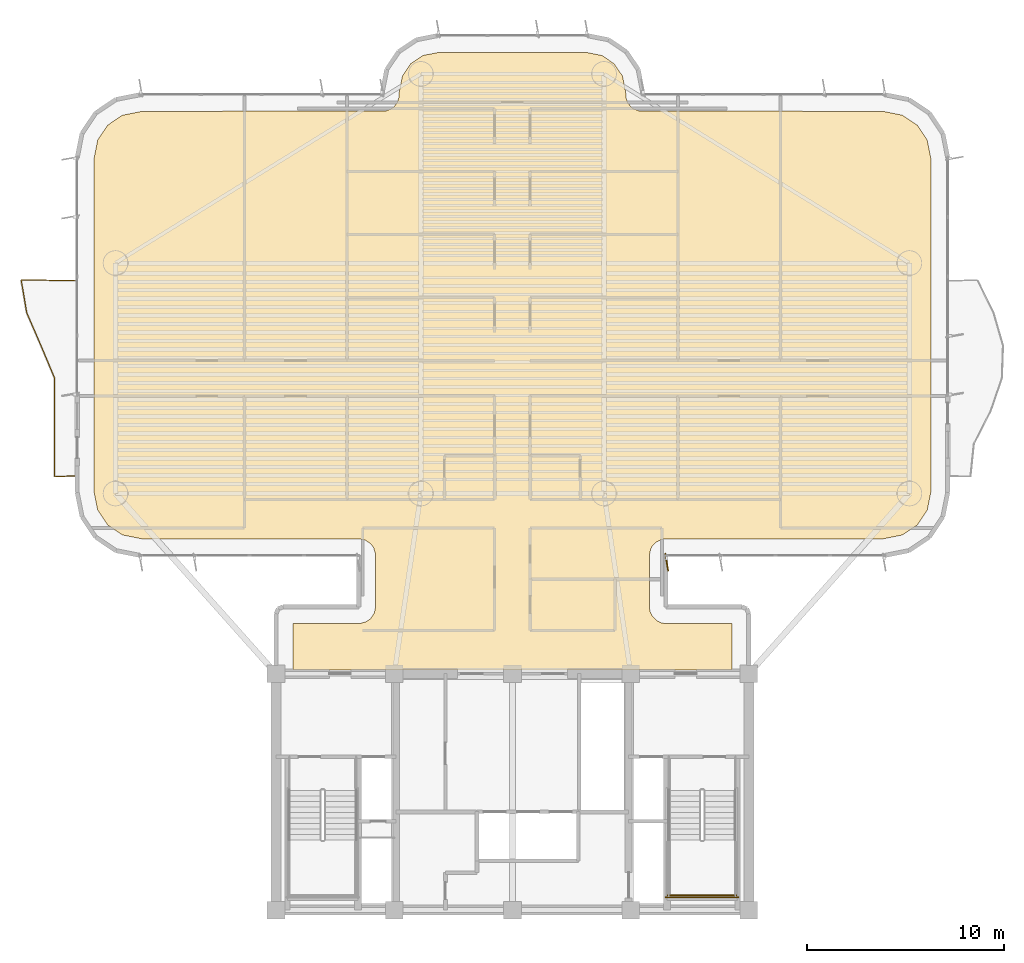
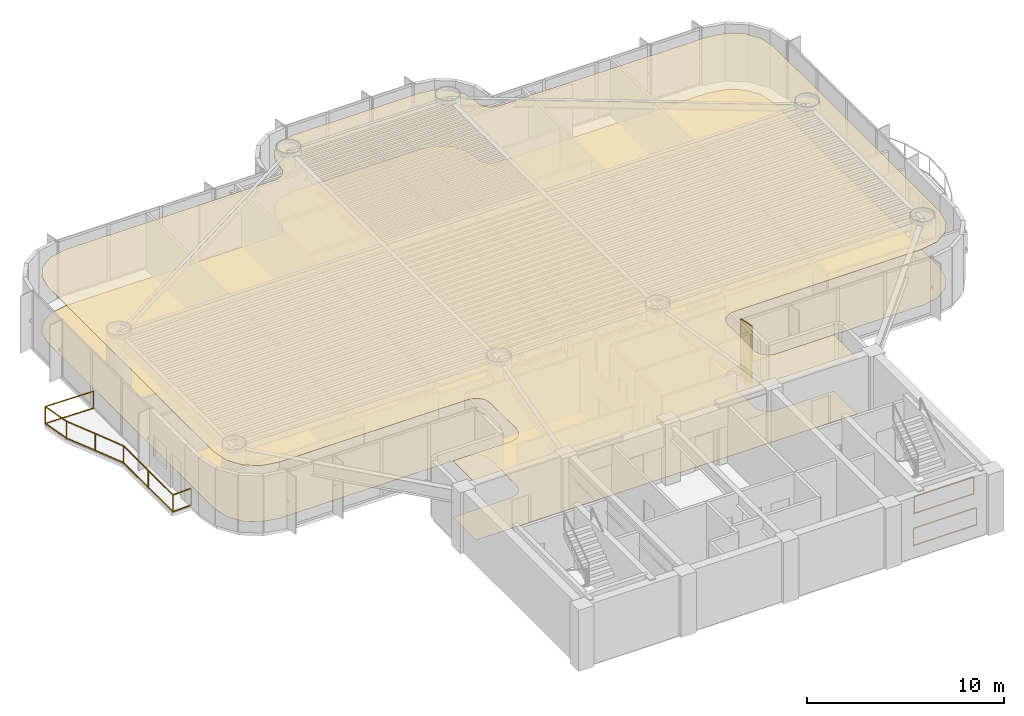
# One storey, part 14 of 16: 3 railings, 2 coverings, 1 shading device.
"""IFC4 building model written with IfcOpenShell, lengths in metres."""

from ifc_helpers import new_model, si_unit, direction, frame, origin, origin_2d, place, context, subcontext, project, spatial, polyline, rectangle, outline, extrude, source, transform, mapped, material, layer, layer_set, material_profile, profile_set, type_object, element, save


model = new_model("IFC4")

# Units and contexts
model_context = context("Model", 3, precision=1e-05, world=origin(), true_north=direction((0.0, 1.0)))
body_context = subcontext(model_context, "Body", "Model", "MODEL_VIEW")
ifc_project = project(units=[si_unit("LENGTHUNIT", "METRE"), si_unit("AREAUNIT", "SQUARE_METRE"), si_unit("VOLUMEUNIT", "CUBIC_METRE"), si_unit("PLANEANGLEUNIT", "RADIAN"), si_unit("MASSUNIT", "GRAM", prefix="KILO")], contexts=[model_context])

# Site, building, storey
site_placement = place(None, origin())
site = spatial("IfcSite", under=ifc_project, at=site_placement, CompositionType="ELEMENT")
building_placement = place(site_placement, origin())
building = spatial("IfcBuilding", under=site, at=building_placement, Name="Brelvock Crest Care Tower", CompositionType="ELEMENT")
storey_placement = place(building_placement, frame((0.0, 0.0, 104.93994140625)))
storey = spatial("IfcBuildingStorey", under=building, at=storey_placement, Name="L26", CompositionType="ELEMENT", Elevation=104.93994140625)

# Coverings
ifc_material_1 = material(Name="Mineral Fibre Acoustic Ceiling Tile", Category="gypsum")
ifc_layer_1 = layer(ifc_material_1, 0.02490234375, Name="COV-CLG1")
ifc_layer_set_1 = layer_set([ifc_layer_1], Name="Mineral Fibre Acoustic Ceiling Tile")
covering_type_1 = type_object("IfcCoveringType", Name="COV-CLG1", PredefinedType="CEILING", material=ifc_layer_set_1)
covering_1_placement = place(storey_placement, frame((0.0, 0.0, 3.47509765625)))
element("IfcCovering", 1, at=covering_1_placement, inside=storey, type_object=covering_type_1, Name="L26 Acoustic Suspended Ceiling 1", PredefinedType="CEILING", context=body_context, shape_type="SweptSolid", body=[
    extrude(outline(polyline([(24.85009765625, 18.199951171875), (47.14990234375, 18.199951171875), (47.14990234375, 20.550048828125), (43.716796875, 20.55419921875), (43.55322265625, 20.586669921875), (43.327880859375, 20.693359375), (43.09326171875, 20.927734375), (42.986572265625, 21.1533203125), (42.949951171875, 21.39990234375), (42.949951171875, 24.0), (43.0146484375, 24.3251953125), (43.09326171875, 24.47216796875), (43.2607421875, 24.656982421875), (43.55322265625, 24.8134765625), (43.800048828125, 24.85009765625), (54.81640625, 24.85009765625), (55.79296875, 25.044189453125), (56.5498046875, 25.550048828125), (57.0556640625, 26.30712890625), (57.25, 27.28369140625), (57.25, 44.1162109375), (57.0556640625, 45.093017578125), (56.5498046875, 45.849853515625), (55.79296875, 46.355712890625), (54.81640625, 46.550048828125), (42.43408203125, 46.56640625), (42.127685546875, 46.693359375), (41.9990234375, 46.799072265625), (41.850341796875, 46.999267578125), (41.766357421875, 47.234130859375), (41.75, 47.516357421875), (41.586181640625, 48.33984375), (41.1669921875, 48.967041015625), (40.539794921875, 49.38623046875), (39.71630859375, 49.550048828125), (32.28369140625, 49.550048828125), (31.460205078125, 49.38623046875), (30.8330078125, 48.967041015625), (30.413818359375, 48.33984375), (30.25, 47.516357421875), (30.233642578125, 47.234130859375), (30.149658203125, 46.999267578125), (30.0009765625, 46.799072265625), (29.872314453125, 46.693359375), (29.56591796875, 46.56640625), (17.18359375, 46.550048828125), (16.20703125, 46.355712890625), (15.4501953125, 45.849853515625), (14.9443359375, 45.093017578125), (14.75, 44.1162109375), (14.75, 27.28369140625), (14.9443359375, 26.30712890625), (15.4501953125, 25.550048828125), (16.20703125, 25.044189453125), (17.18359375, 24.85009765625), (28.199951171875, 24.85009765625), (28.525390625, 24.785400390625), (28.801025390625, 24.60107421875), (28.94970703125, 24.400634765625), (29.0458984375, 24.083251953125), (29.050048828125, 21.39990234375), (28.9853515625, 21.07470703125), (28.801025390625, 20.799072265625), (28.6005859375, 20.650390625), (28.283203125, 20.55419921875), (24.85009765625, 20.550048828125), (24.85009765625, 18.199951171875)])), origin(), (0.0, 0.0, 1.0), 0.02490234375),
])
ifc_material_2 = material(Name="Slip-Resistant Acoustic Vinyl Flooring", Category="finish")
ifc_layer_2 = layer(ifc_material_2, 0.014892578125, Name="COV-FLR1")
ifc_layer_set_2 = layer_set([ifc_layer_2], Name="Slip-Resistant Acoustic Vinyl Flooring")
covering_type_2 = type_object("IfcCoveringType", Name="COV-FLR1", PredefinedType="FLOORING", material=ifc_layer_set_2)
covering_2_placement = place(storey_placement, origin())
element("IfcCovering", 2, at=covering_2_placement, inside=storey, type_object=covering_type_2, Name="L26 Slip-Resistant Acoustic Flooring 1", PredefinedType="FLOORING", context=body_context, shape_type="SweptSolid", body=[
    extrude(outline(polyline([(24.85009765625, 18.199951171875), (47.14990234375, 18.199951171875), (47.14990234375, 20.550048828125), (43.716796875, 20.55419921875), (43.55322265625, 20.586669921875), (43.327880859375, 20.693359375), (43.09326171875, 20.927734375), (42.986572265625, 21.1533203125), (42.949951171875, 21.39990234375), (42.949951171875, 24.0), (43.0146484375, 24.3251953125), (43.09326171875, 24.47216796875), (43.2607421875, 24.656982421875), (43.55322265625, 24.8134765625), (43.800048828125, 24.85009765625), (54.81640625, 24.85009765625), (55.79296875, 25.044189453125), (56.5498046875, 25.550048828125), (57.0556640625, 26.30712890625), (57.25, 27.28369140625), (57.25, 44.1162109375), (57.0556640625, 45.093017578125), (56.5498046875, 45.849853515625), (55.79296875, 46.355712890625), (54.81640625, 46.550048828125), (42.43408203125, 46.56640625), (42.127685546875, 46.693359375), (41.9990234375, 46.799072265625), (41.850341796875, 46.999267578125), (41.766357421875, 47.234130859375), (41.75, 47.516357421875), (41.586181640625, 48.33984375), (41.1669921875, 48.967041015625), (40.539794921875, 49.38623046875), (39.71630859375, 49.550048828125), (32.28369140625, 49.550048828125), (31.460205078125, 49.38623046875), (30.8330078125, 48.967041015625), (30.413818359375, 48.33984375), (30.25, 47.516357421875), (30.233642578125, 47.234130859375), (30.149658203125, 46.999267578125), (30.0009765625, 46.799072265625), (29.872314453125, 46.693359375), (29.56591796875, 46.56640625), (17.18359375, 46.550048828125), (16.20703125, 46.355712890625), (15.4501953125, 45.849853515625), (14.9443359375, 45.093017578125), (14.75, 44.1162109375), (14.75, 27.28369140625), (14.9443359375, 26.30712890625), (15.4501953125, 25.550048828125), (16.20703125, 25.044189453125), (17.18359375, 24.85009765625), (28.199951171875, 24.85009765625), (28.525390625, 24.785400390625), (28.801025390625, 24.60107421875), (28.94970703125, 24.400634765625), (29.0458984375, 24.083251953125), (29.050048828125, 21.39990234375), (28.9853515625, 21.07470703125), (28.801025390625, 20.799072265625), (28.6005859375, 20.650390625), (28.283203125, 20.55419921875), (24.85009765625, 20.550048828125), (24.85009765625, 18.199951171875)])), origin(), (0.0, 0.0, 1.0), 0.01513671875),
])

# Railings
ifc_material_3 = material(Name="Dark Glass Double Glazed Low-E", Category="glass")
ifc_layer_3 = layer(ifc_material_3, 0.06005859375, Name="RL-BAL1")
ifc_layer_set_3 = layer_set([ifc_layer_3], Name="Dark Glass Double Glazed Low-E")
railing_type_1 = type_object("IfcRailingType", Name="RL-BAL1", PredefinedType="BALUSTRADE", material=ifc_layer_set_3)
railing_1_placement = place(storey_placement, frame((13.860107421875, 28.050048828125, 0.004150390625)))
element("IfcRailing", 3, at=railing_1_placement, inside=storey, type_object=railing_type_1, Name="L26 Safety Balustrade WB-W", PredefinedType="BALUSTRADE", context=body_context, shape_type="SweptSolid", body=[
    extrude(rectangle(XDim=0.048095703125, YDim=0.048095703125, at=origin_2d()), frame((-0.001953125, 0.0, 1.09619140625), z_axis=(-0.998966710972, -0.045447886318, 0.0), x_axis=(0.045447886318, -0.998966710972, 0.0)), (0.0, 0.0, 1.0), 1.09716796875),
    extrude(rectangle(XDim=0.048095703125, YDim=0.048095703125, at=origin_2d()), frame((-0.001953125, 0.0, 0.054931640625), z_axis=(-0.998966710972, -0.045447886318, 0.0), x_axis=(0.045447886318, -0.998966710972, 0.0)), (0.0, 0.0, 1.0), 1.09716796875),
    extrude(rectangle(XDim=0.048095703125, YDim=0.048095703125, at=origin_2d()), frame((-1.10009765625, -0.048095703125, 1.09619140625), z_axis=(0.0, 1.0, 0.0), x_axis=(-1.0, 0.0, 0.0)), (0.0, 0.0, 1.0), 4.99609375),
    extrude(rectangle(XDim=0.048095703125, YDim=0.048095703125, at=origin_2d()), frame((-1.10009765625, -0.048095703125, 0.054931640625), z_axis=(0.0, 1.0, 0.0), x_axis=(-1.0, 0.0, 0.0)), (0.0, 0.0, 1.0), 4.99609375),
    extrude(rectangle(XDim=0.048095703125, YDim=0.048095703125, at=origin_2d()), frame((-1.100830078125, 4.951904296875, 1.09619140625), z_axis=(-0.386963805718, 0.922094904586, 0.0), x_axis=(-0.922094904586, -0.386963805718, 0.0)), (0.0, 0.0, 1.0), 1.803466796875),
    extrude(rectangle(XDim=0.048095703125, YDim=0.048095703125, at=origin_2d()), frame((-1.100830078125, 4.951904296875, 0.054931640625), z_axis=(-0.386963805718, 0.922094904586, 0.0), x_axis=(-0.922094904586, -0.386963805718, 0.0)), (0.0, 0.0, 1.0), 1.803466796875),
    extrude(rectangle(XDim=0.048095703125, YDim=0.048095703125, at=origin_2d()), frame((-1.80029296875, 6.61865234375, 1.09619140625), z_axis=(-0.39727539454, 0.917699439301, 0.0), x_axis=(-0.917699439301, -0.39727539454, 0.0)), (0.0, 0.0, 1.0), 1.81201171875),
    extrude(rectangle(XDim=0.048095703125, YDim=0.048095703125, at=origin_2d()), frame((-1.80029296875, 6.61865234375, 0.054931640625), z_axis=(-0.39727539454, 0.917699439301, 0.0), x_axis=(-0.917699439301, -0.39727539454, 0.0)), (0.0, 0.0, 1.0), 1.81201171875),
    extrude(rectangle(XDim=0.048095703125, YDim=0.048095703125, at=origin_2d()), frame((-2.521240234375, 8.28515625, 1.09619140625), z_axis=(-0.165125179616, 0.986272617006, 0.0), x_axis=(-0.986272617006, -0.165125179616, 0.0)), (0.0, 0.0, 1.0), 1.68603515625),
    extrude(rectangle(XDim=0.048095703125, YDim=0.048095703125, at=origin_2d()), frame((-2.521240234375, 8.28515625, 0.054931640625), z_axis=(-0.165125179616, 0.986272617006, 0.0), x_axis=(-0.986272617006, -0.165125179616, 0.0)), (0.0, 0.0, 1.0), 1.68603515625),
    extrude(rectangle(XDim=0.048095703125, YDim=0.048095703125, at=origin_2d()), frame((-2.798095703125, 9.949951171875, 1.09619140625), z_axis=(0.999840293507, -0.017871415134, 0.0), x_axis=(0.017871415134, 0.999840293507, 0.0)), (0.0, 0.0, 1.0), 2.79638671875),
    extrude(rectangle(XDim=0.048095703125, YDim=0.048095703125, at=origin_2d()), frame((-2.798095703125, 9.949951171875, 0.054931640625), z_axis=(0.999840293507, -0.017871415134, 0.0), x_axis=(0.017871415134, 0.999840293507, 0.0)), (0.0, 0.0, 1.0), 2.79638671875),
    extrude(rectangle(XDim=0.0419921875, YDim=0.0419921875, at=origin_2d()), origin(), (0.0, 0.0, 1.0), 1.070068359375),
    extrude(rectangle(XDim=0.0419921875, YDim=0.0419921875, at=origin_2d()), frame((-1.10009765625, -0.050048828125, 0.0)), (0.0, 0.0, 1.0), 1.070068359375),
    extrude(rectangle(XDim=0.0419921875, YDim=0.0419921875, at=origin_2d()), frame((-1.10009765625, 2.449951171875, 0.0)), (0.0, 0.0, 1.0), 1.070068359375),
    extrude(rectangle(XDim=0.0419921875, YDim=0.0419921875, at=origin_2d()), frame((-1.10009765625, 4.949951171875, 0.0)), (0.0, 0.0, 1.0), 1.070068359375),
    extrude(rectangle(XDim=0.0419921875, YDim=0.0419921875, at=origin_2d()), frame((-1.799560546875, 6.61669921875, 0.0)), (0.0, 0.0, 1.0), 1.070068359375),
    extrude(rectangle(XDim=0.0419921875, YDim=0.0419921875, at=origin_2d()), frame((-2.52099609375, 8.283203125, 0.0)), (0.0, 0.0, 1.0), 1.070068359375),
    extrude(rectangle(XDim=0.0419921875, YDim=0.0419921875, at=origin_2d()), frame((-2.800048828125, 9.949951171875, 0.0)), (0.0, 0.0, 1.0), 1.070068359375),
    extrude(rectangle(XDim=0.0419921875, YDim=0.0419921875, at=origin_2d()), frame((0.0, 9.89990234375, 0.0)), (0.0, 0.0, 1.0), 1.070068359375),
])
ifc_material_4 = material(Name="Steel Grade 350", Category="steel")
ifc_layer_4 = layer(ifc_material_4, 0.050048828125, Name="RL-STG1")
ifc_layer_set_4 = layer_set([ifc_layer_4], Name="Steel Grade 350")
railing_type_2 = type_object("IfcRailingType", Name="RL-STG1", PredefinedType="GUARDRAIL", material=ifc_layer_set_4)
railing_2_placement = place(storey_placement, frame((43.889892578125, 6.75, 1.89013671875)))
element("IfcRailing", 4, at=railing_2_placement, inside=storey, type_object=railing_type_2, Name="L26 ST-2 stair guard 5", PredefinedType="GUARDRAIL", context=body_context, shape_type="SweptSolid", body=[
    extrude(rectangle(XDim=0.048095703125, YDim=0.048095703125, at=origin_2d()), frame((0.001953125, 0.0, 1.11572265625), z_axis=(1.0, 0.0, 0.0), x_axis=(0.0, 1.0, 0.0)), (0.0, 0.0, 1.0), 3.476318359375),
    extrude(rectangle(XDim=0.048095703125, YDim=0.048095703125, at=origin_2d()), frame((0.001953125, 0.0, 0.054931640625), z_axis=(1.0, 0.0, 0.0), x_axis=(0.0, 1.0, 0.0)), (0.0, 0.0, 1.0), 3.476318359375),
    extrude(rectangle(XDim=0.0419921875, YDim=0.0419921875, at=origin_2d()), origin(), (0.0, 0.0, 1.0), 1.08984375),
    extrude(rectangle(XDim=0.0419921875, YDim=0.0419921875, at=origin_2d()), frame((3.480224609375, 0.0, 0.0)), (0.0, 0.0, 1.0), 1.08984375),
])
railing_3_placement = place(storey_placement, frame((43.7900390625, 6.64990234375, 0.0)))
element("IfcRailing", 5, at=railing_3_placement, inside=storey, type_object=railing_type_2, Name="L26 ST-2 stair guard 12", PredefinedType="GUARDRAIL", context=body_context, shape_type="SweptSolid", body=[
    extrude(rectangle(XDim=0.048095703125, YDim=0.048095703125, at=origin_2d()), frame((0.001953125, 0.0, 1.11572265625), z_axis=(1.0, 0.0, 0.0), x_axis=(0.0, 1.0, 0.0)), (0.0, 0.0, 1.0), 3.676025390625),
    extrude(rectangle(XDim=0.048095703125, YDim=0.048095703125, at=origin_2d()), frame((0.001953125, 0.0, 0.054931640625), z_axis=(1.0, 0.0, 0.0), x_axis=(0.0, 1.0, 0.0)), (0.0, 0.0, 1.0), 3.676025390625),
    extrude(rectangle(XDim=0.0419921875, YDim=0.0419921875, at=origin_2d()), origin(), (0.0, 0.0, 1.0), 1.08984375),
    extrude(rectangle(XDim=0.0419921875, YDim=0.0419921875, at=origin_2d()), frame((3.679931640625, 0.0, 0.0)), (0.0, 0.0, 1.0), 1.08984375),
])

# Shading device
ifc_material_5 = material(Name="Aluminium 6063-T6", Category="aluminium")
ifc_material_profile = material_profile(ifc_material_5, rectangle(XDim=0.054931640625, YDim=0.89990234375, at=origin_2d()), Name="FIN55x900")
ifc_profile_set = profile_set([ifc_material_profile], Name="Aluminium 6063-T6")
shading_device_type = type_object("IfcShadingDeviceType", Name="SHD-FIN1", PredefinedType="USERDEFINED", material=ifc_profile_set)
shared_shape = source(origin(), body_context, "Body", "SweptSolid", [
    extrude(rectangle(XDim=0.054931640625, YDim=0.89990234375, at=origin_2d()), origin(), (0.0, 0.0, 1.0), 3.530029296875),
])
shading_device_placement = place(storey_placement, frame((43.830078125, 23.659912109375, 0.0), z_axis=(0.0, 0.0, 1.0), x_axis=(-0.984807753012, -0.173648177667, 0.0)))
element("IfcShadingDevice", 6, at=shading_device_placement, inside=storey, type_object=shading_device_type, Name="L26 Vertical Sunshade Fin E44-05", ObjectType="FIN", PredefinedType="USERDEFINED", context=body_context, shape_type="MappedRepresentation", body=[
    mapped(shared_shape, transform((0.0, 0.0, 0.0), x_axis=(1.0, 0.0, 0.0), y_axis=(0.0, 1.0, 0.0), z_axis=(0.0, 0.0, 1.0), scale=1.0)),
])

save(model, "model.ifc")
